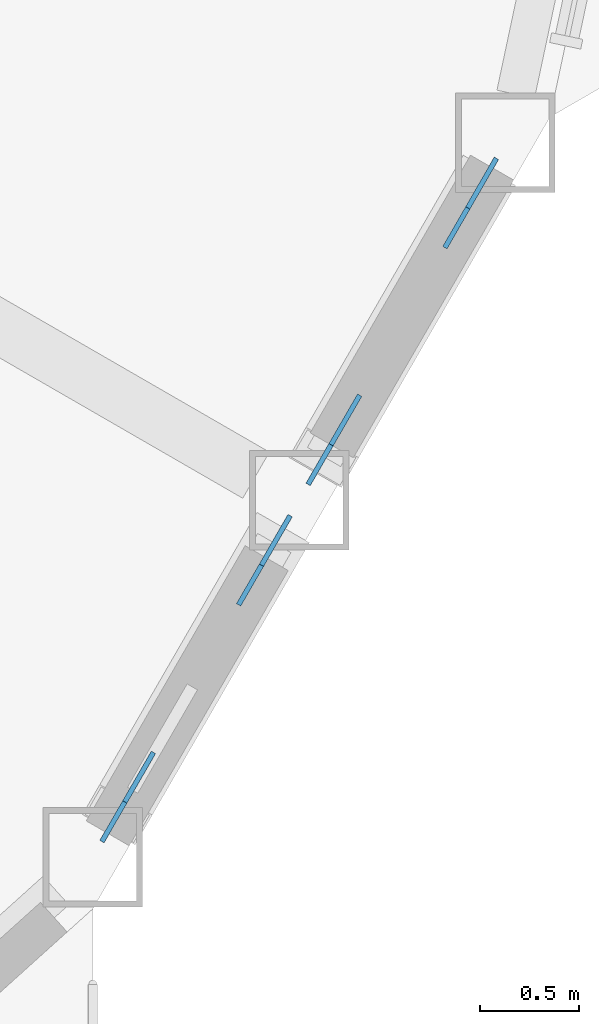
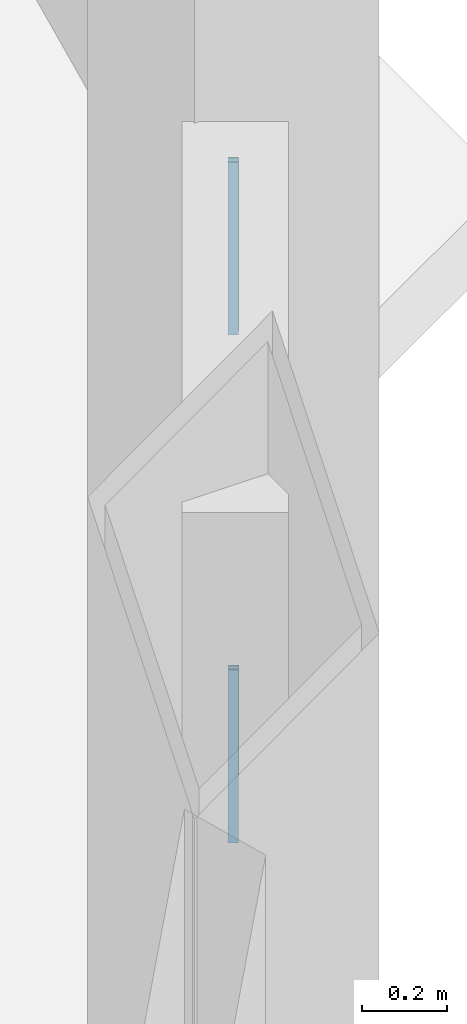
# One storey, part 19 of 25: 4 discrete accessories.
"""IFC4 building model written with IfcOpenShell, lengths in metres."""

from ifc_helpers import new_model, si_unit, direction, frame, origin, origin_2d, place, context, subcontext, project, spatial, rectangle, extrude, material, material_profile, profile_set, type_object, element, save


model = new_model("IFC4")

# Units and contexts
model_context = context("Model", 3, precision=1e-05, world=origin(), true_north=direction((0.0, 1.0)))
body_context = subcontext(model_context, "Body", "Model", "MODEL_VIEW")
ifc_project = project(units=[si_unit("LENGTHUNIT", "METRE"), si_unit("AREAUNIT", "SQUARE_METRE"), si_unit("VOLUMEUNIT", "CUBIC_METRE"), si_unit("PLANEANGLEUNIT", "RADIAN"), si_unit("MASSUNIT", "GRAM", prefix="KILO")], contexts=[model_context])

# Site, building, storey
site_placement = place(None, origin())
site = spatial("IfcSite", under=ifc_project, at=site_placement, CompositionType="ELEMENT")
building_placement = place(site_placement, origin())
building = spatial("IfcBuilding", under=site, at=building_placement, Name="Cormorant Prow Tower", CompositionType="ELEMENT")
storey_placement = place(building_placement, frame((0.0, 0.0, 395.0)))
storey = spatial("IfcBuildingStorey", under=building, at=storey_placement, Name="L90", CompositionType="ELEMENT", Elevation=395.0)

# Discrete accessories
ifc_material = material(Name="Structural steel ASTM A500 Gr C", Category="steel")
ifc_material_profile = material_profile(ifc_material, rectangle(XDim=0.02490234375, YDim=0.405029296875, at=origin_2d()), Name="Gusset plate 25x405")
ifc_profile_set = profile_set([ifc_material_profile], Name="Structural steel ASTM A500 Gr C")
discrete_accessory_type = type_object("IfcDiscreteAccessoryType", Name="Gusset plate 25x405", PredefinedType="BRACKET", material=ifc_profile_set)
for number, where, z_axis, x_axis, name in (
    (1, (26.7900390625, -16.037109375, 0.941162109375), (0.411595697368, 0.712269842394, -0.568560158228), (-0.865832418869, 0.500334110806, 0.0), "Gusset plate GP3 L90.ESE00.g0"),
    (2, (26.246826171875, -16.978271484375, 1.692626953125), (-0.411595697368, -0.712269842394, 0.568560158228), (0.865832418869, -0.500334110806, 0.0), "Gusset plate GP3 L90.ESE00.g1"),
    (3, (27.8271484375, -14.2412109375, 0.941162109375), (0.411016012482, 0.712474276306, -0.568723344945), (-0.866199709737, 0.499697971631, 0.0), "Gusset plate GP3 L90.ESE01.g0"),
    (4, (27.28369140625, -15.182373046875, 1.692626953125), (-0.411595697368, -0.712269842394, 0.568560158228), (0.865832418869, -0.500334110806, 0.0), "Gusset plate GP3 L90.ESE01.g1"),
):
    element("IfcDiscreteAccessory", number, at=place(storey_placement, frame(where, z_axis=z_axis, x_axis=x_axis)), inside=storey, type_object=discrete_accessory_type, Name=name, PredefinedType="BRACKET", context=body_context, shape_type="SweptSolid", body=[
        extrude(rectangle(XDim=0.02490234375, YDim=0.405029296875, at=origin_2d()), origin(), (0.0, 0.0, 1.0), 0.349853515625),
    ])

save(model, "model.ifc")
